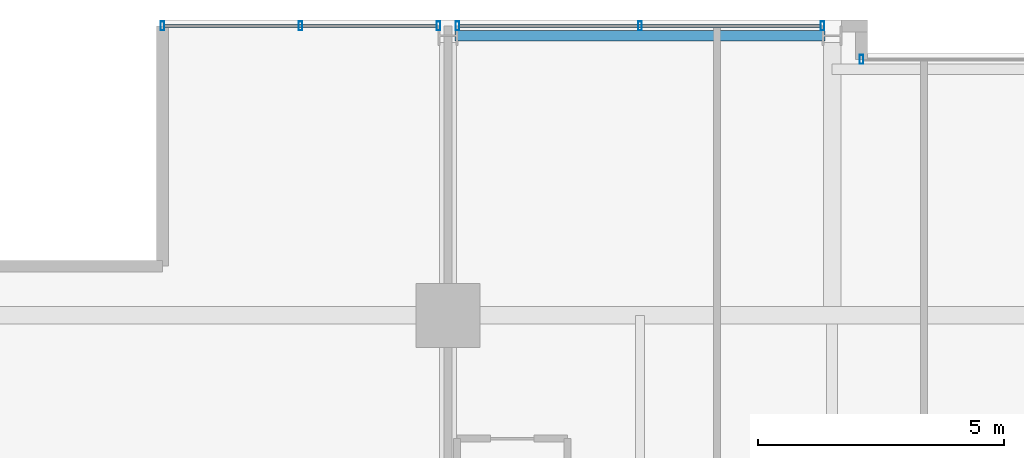
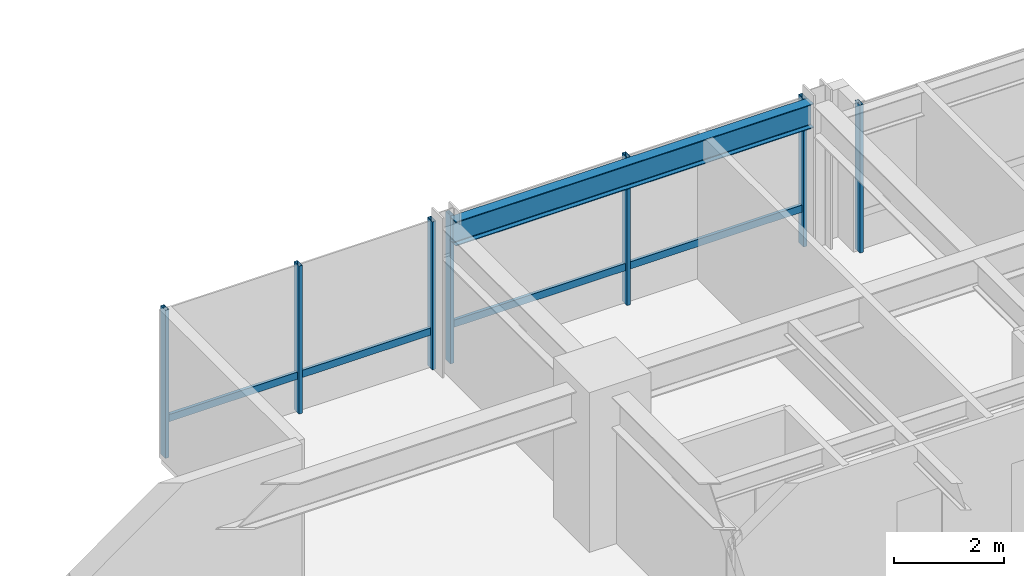
# One storey, part 19 of 32: 9 members, 1 beam, 3 elements without a shape of their own.
"""IFC4 building model written with IfcOpenShell, lengths in metres."""

from ifc_helpers import new_model, si_unit, direction, frame, origin, origin_2d, place, context, subcontext, project, spatial, hollow_rectangle, i_section, extrude, material, layer, layer_set, material_profile, profile_set, type_object, element, aggregate, save


model = new_model("IFC4")

# Units and contexts
model_context = context("Model", 3, precision=1e-05, world=origin(), true_north=direction((0.0, 1.0)))
body_context = subcontext(model_context, "Body", "Model", "MODEL_VIEW")
ifc_project = project(units=[si_unit("LENGTHUNIT", "METRE"), si_unit("AREAUNIT", "SQUARE_METRE"), si_unit("VOLUMEUNIT", "CUBIC_METRE"), si_unit("PLANEANGLEUNIT", "RADIAN"), si_unit("MASSUNIT", "GRAM", prefix="KILO")], contexts=[model_context])

# Site, building, storey
site_placement = place(None, origin())
site = spatial("IfcSite", under=ifc_project, at=site_placement, CompositionType="ELEMENT")
building_placement = place(site_placement, origin())
building = spatial("IfcBuilding", under=site, at=building_placement, Name="Drelvath Grand Hotel", CompositionType="ELEMENT")
storey_placement = place(building_placement, frame((0.0, 0.0, 189.449951171875)))
storey = spatial("IfcBuildingStorey", under=building, at=storey_placement, Name="L49", CompositionType="ELEMENT", Elevation=189.449951171875)

# Curtain wall, member
ifc_material_1 = material(Name="Brushed Pale-Silver Anodised Aluminium Frame", Category="aluminium")
ifc_layer = layer(ifc_material_1, 0.199951171875)
ifc_layer_set = layer_set([ifc_layer], Name="Brushed Pale-Silver Anodised Aluminium Frame")
curtain_wall_type = type_object("IfcCurtainWallType", Name="Stick Curtain Wall CW-04 Brushed Silver Upper-Mid", PredefinedType="NOTDEFINED", material=ifc_layer_set)
curtain_wall_1_placement = place(storey_placement, origin())
curtain_wall_1 = element("IfcCurtainWall", 1, at=curtain_wall_1_placement, inside=storey, type_object=curtain_wall_type, Name="L49 CW-04 Curtain Wall CW04-L49-NW1", PredefinedType="NOTDEFINED")
ifc_material_profile_1 = material_profile(ifc_material_1, hollow_rectangle(XDim=0.06494140625, YDim=0.159912109375, WallThickness=0.00390625, at=origin_2d()), Name="HSS160X65X4")
ifc_profile_set_1 = profile_set([ifc_material_profile_1], Name="Brushed Pale-Silver Anodised Aluminium Frame")
member_type_1 = type_object("IfcMemberType", Name="Curtain Wall Horizontal Transom CW-04 HSS160X65X4", PredefinedType="USERDEFINED", material=ifc_profile_set_1)
member_1_placement = place(storey_placement, frame((-21.9599609375, 49.080078125, 0.822509765625), z_axis=(1.0, 0.0, 0.0), x_axis=(0.0, 1.0, 0.0)))
member_1 = element("IfcMember", 2, at=member_1_placement, type_object=member_type_1, Name="CW04-L49-NW1 Sill Transom", ObjectType="TRANSOM", PredefinedType="USERDEFINED", context=body_context, shape_type="SweptSolid", body=[
    extrude(hollow_rectangle(XDim=0.06494140625, YDim=0.159912109375, WallThickness=0.00390625, at=origin_2d()), origin(), (0.0, 0.0, 1.0), 5.5283203125),
])

curtain_wall_2_placement = place(storey_placement, origin())
curtain_wall_2 = element("IfcCurtainWall", 3, at=curtain_wall_2_placement, inside=storey, type_object=curtain_wall_type, Name="L49 CW-04 Curtain Wall CW04-L49-NW2", PredefinedType="NOTDEFINED")
member_2_placement = place(storey_placement, frame((-15.968505859375, 49.080078125, 0.822509765625), z_axis=(1.0, 0.0, 0.0), x_axis=(0.0, 1.0, 0.0)))
member_2 = element("IfcMember", 4, at=member_2_placement, type_object=member_type_1, Name="CW04-L49-NW2 Sill Transom", ObjectType="TRANSOM", PredefinedType="USERDEFINED", context=body_context, shape_type="SweptSolid", body=[
    extrude(hollow_rectangle(XDim=0.06494140625, YDim=0.159912109375, WallThickness=0.00390625, at=origin_2d()), origin(), (0.0, 0.0, 1.0), 7.3369140625),
])

# Member
ifc_material_profile_2 = material_profile(ifc_material_1, hollow_rectangle(XDim=0.074951171875, YDim=0.179931640625, WallThickness=0.0048828125, at=origin_2d()), Name="HSS180X75X5")
ifc_profile_set_2 = profile_set([ifc_material_profile_2], Name="Brushed Pale-Silver Anodised Aluminium Frame")
member_type_2 = type_object("IfcMemberType", Name="Curtain Wall Vertical Mullion CW-04 HSS180X75X5", PredefinedType="MULLION", material=ifc_profile_set_2)
member_3_placement = place(storey_placement, frame((-22.0, 49.080078125, 0.0), z_axis=(0.0, 0.0, 1.0), x_axis=(1.0, 0.0, 0.0)))
member_3 = element("IfcMember", 5, at=member_3_placement, type_object=member_type_2, Name="CW04-L49-NW1 Mullion 1", PredefinedType="MULLION", context=body_context, shape_type="SweptSolid", body=[
    extrude(hollow_rectangle(XDim=0.074951171875, YDim=0.179931640625, WallThickness=0.0048828125, at=origin_2d()), origin(), (0.0, 0.0, 1.0), 3.2900390625),
])

member_4_placement = place(storey_placement, frame((-19.19580078125, 49.080078125, 0.0), z_axis=(0.0, 0.0, 1.0), x_axis=(1.0, 0.0, 0.0)))
member_4 = element("IfcMember", 6, at=member_4_placement, type_object=member_type_2, Name="CW04-L49-NW1 Mullion 2", PredefinedType="MULLION", context=body_context, shape_type="SweptSolid", body=[
    extrude(hollow_rectangle(XDim=0.074951171875, YDim=0.179931640625, WallThickness=0.0048828125, at=origin_2d()), origin(), (0.0, 0.0, 1.0), 3.2900390625),
])

member_5_placement = place(storey_placement, frame((-16.3916015625, 49.080078125, 0.0), z_axis=(0.0, 0.0, 1.0), x_axis=(1.0, 0.0, 0.0)))
member_5 = element("IfcMember", 7, at=member_5_placement, type_object=member_type_2, Name="CW04-L49-NW1 Mullion 3", PredefinedType="MULLION", context=body_context, shape_type="SweptSolid", body=[
    extrude(hollow_rectangle(XDim=0.074951171875, YDim=0.179931640625, WallThickness=0.0048828125, at=origin_2d()), origin(), (0.0, 0.0, 1.0), 3.2900390625),
])

aggregate(curtain_wall_1, [member_3, member_4, member_5, member_1])

member_6_placement = place(storey_placement, frame((-16.00830078125, 49.080078125, 0.0), z_axis=(0.0, 0.0, 1.0), x_axis=(1.0, 0.0, 0.0)))
member_6 = element("IfcMember", 8, at=member_6_placement, type_object=member_type_2, Name="CW04-L49-NW2 Mullion 1", PredefinedType="MULLION", context=body_context, shape_type="SweptSolid", body=[
    extrude(hollow_rectangle(XDim=0.074951171875, YDim=0.179931640625, WallThickness=0.0048828125, at=origin_2d()), origin(), (0.0, 0.0, 1.0), 3.2900390625),
])

member_7_placement = place(storey_placement, frame((-12.300048828125, 49.080078125, 0.0), z_axis=(0.0, 0.0, 1.0), x_axis=(1.0, 0.0, 0.0)))
member_7 = element("IfcMember", 9, at=member_7_placement, type_object=member_type_2, Name="CW04-L49-NW2 Mullion 2", PredefinedType="MULLION", context=body_context, shape_type="SweptSolid", body=[
    extrude(hollow_rectangle(XDim=0.074951171875, YDim=0.179931640625, WallThickness=0.0048828125, at=origin_2d()), origin(), (0.0, 0.0, 1.0), 3.2900390625),
])

member_8_placement = place(storey_placement, frame((-8.591796875, 49.080078125, 0.0), z_axis=(0.0, 0.0, 1.0), x_axis=(1.0, 0.0, 0.0)))
member_8 = element("IfcMember", 10, at=member_8_placement, type_object=member_type_2, Name="CW04-L49-NW2 Mullion 3", PredefinedType="MULLION", context=body_context, shape_type="SweptSolid", body=[
    extrude(hollow_rectangle(XDim=0.074951171875, YDim=0.179931640625, WallThickness=0.0048828125, at=origin_2d()), origin(), (0.0, 0.0, 1.0), 3.2900390625),
])

aggregate(curtain_wall_2, [member_6, member_7, member_8, member_2])

# Curtain wall, member
curtain_wall_3_placement = place(storey_placement, origin())
curtain_wall_3 = element("IfcCurtainWall", 11, at=curtain_wall_3_placement, inside=storey, type_object=curtain_wall_type, Name="L49 CW-04 Curtain Wall CW04-L49-NM1", PredefinedType="NOTDEFINED")
member_9_placement = place(storey_placement, frame((-7.800048828125, 48.39990234375, 0.0), z_axis=(0.0, 0.0, 1.0), x_axis=(1.0, 0.0, 0.0)))
member_9 = element("IfcMember", 12, at=member_9_placement, type_object=member_type_2, Name="CW04-L49-NM1 Mullion 1", PredefinedType="MULLION", context=body_context, shape_type="SweptSolid", body=[
    extrude(hollow_rectangle(XDim=0.074951171875, YDim=0.179931640625, WallThickness=0.0048828125, at=origin_2d()), origin(), (0.0, 0.0, 1.0), 3.2900390625),
])
aggregate(curtain_wall_3, [member_9])

# Beam
ifc_material_2 = material(Name="Steel ASTM A992 Gr 50", Category="steel")
ifc_material_profile_3 = material_profile(ifc_material_2, i_section(OverallWidth=0.210205078125, OverallDepth=0.53662109375, WebThickness=0.010986328125, FlangeThickness=0.017333984375, FilletRadius=0.01806640625, at=origin_2d()), Name="W21X68")
ifc_profile_set_3 = profile_set([ifc_material_profile_3], Name="Steel ASTM A992 Gr 50")
beam_type = type_object("IfcBeamType", Name="Perimeter Spandrel Beam W21X68", PredefinedType="SPANDREL", material=ifc_profile_set_3)
beam_placement = place(storey_placement, frame((-16.06005859375, 48.8798828125, 3.021728515625), z_axis=(1.0, 0.0, 0.0), x_axis=(0.0, 1.0, 0.0)))
element("IfcBeam", 13, at=beam_placement, inside=storey, type_object=beam_type, Name="L49 Spandrel North W", PredefinedType="SPANDREL", context=body_context, shape_type="SweptSolid", body=[
    extrude(i_section(OverallWidth=0.210205078125, OverallDepth=0.53662109375, WebThickness=0.010986328125, FlangeThickness=0.017333984375, FilletRadius=0.01806640625, at=origin_2d()), origin(), (0.0, 0.0, 1.0), 7.52001953125),
])

save(model, "model.ifc")
